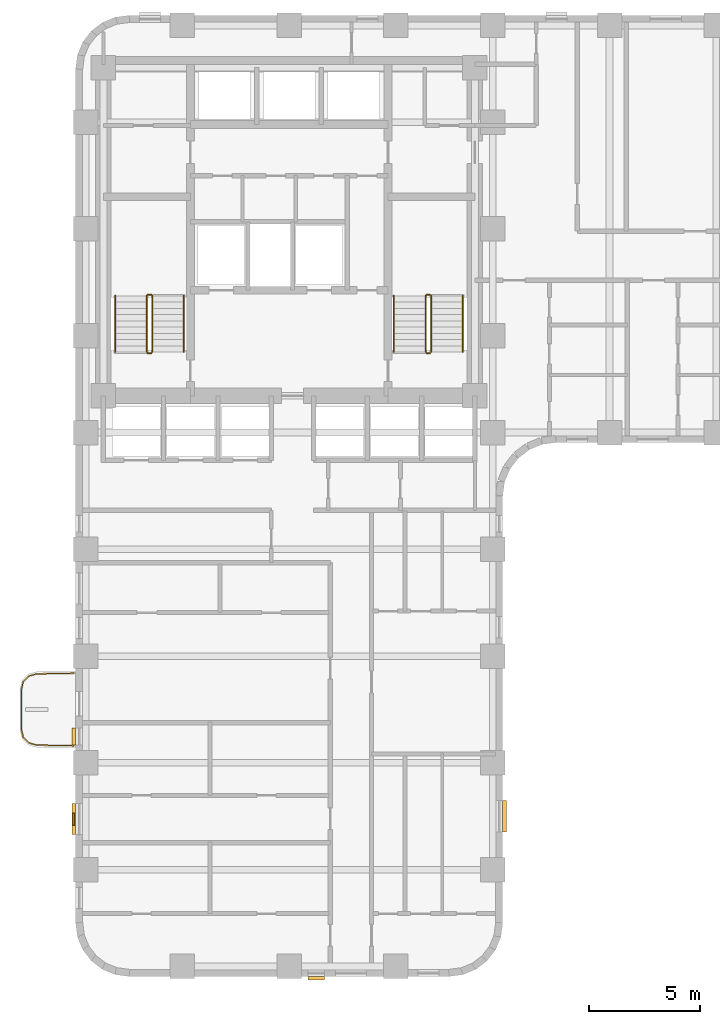
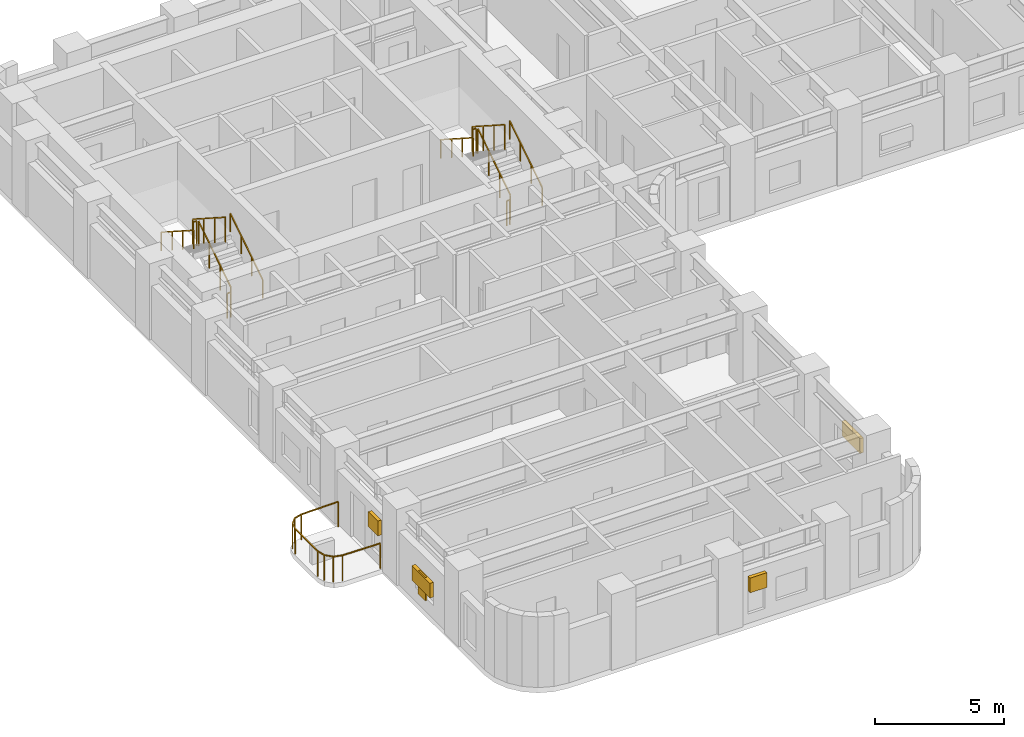
# One storey, part 9 of 11: 13 railings, 5 shading devices.
"""IFC4 building model written with IfcOpenShell, lengths in metres."""

from ifc_helpers import new_model, si_unit, direction, frame, origin, origin_2d, place, context, subcontext, project, spatial, rectangle, extrude, material, type_object, element, save


model = new_model("IFC4")

# Units and contexts
model_context = context("Model", 3, precision=1e-05, world=origin(), true_north=direction((0.0, 1.0)))
body_context = subcontext(model_context, "Body", "Model", "MODEL_VIEW")
ifc_project = project(units=[si_unit("LENGTHUNIT", "METRE"), si_unit("AREAUNIT", "SQUARE_METRE"), si_unit("VOLUMEUNIT", "CUBIC_METRE"), si_unit("PLANEANGLEUNIT", "RADIAN"), si_unit("MASSUNIT", "GRAM", prefix="KILO")], contexts=[model_context])

# Site, building, storey
site_placement = place(None, origin())
site = spatial("IfcSite", under=ifc_project, at=site_placement, CompositionType="ELEMENT")
building_placement = place(site_placement, origin())
building = spatial("IfcBuilding", under=site, at=building_placement, Name="Orvandelia Arch Residences", CompositionType="ELEMENT")
storey_placement = place(building_placement, frame((0.0, 0.0, 53.800048828125)))
storey = spatial("IfcBuildingStorey", under=building, at=storey_placement, Name="L13", CompositionType="ELEMENT", Elevation=53.800048828125)

# Railings
ifc_material_1 = material(Name="Marine-Grade Stainless Steel 316", Category="steel")
railing_type_1 = type_object("IfcRailingType", Name="GRD-BAL-1200", PredefinedType="BALUSTRADE", material=ifc_material_1)
railing_1_placement = place(storey_placement, frame((4.728271484375, 18.430419921875, 0.0)))
element("IfcRailing", 1, at=railing_1_placement, inside=storey, type_object=railing_type_1, Name="Safety Balustrade Guard GRD-L13-BAL-L13-W1-1", PredefinedType="BALUSTRADE", context=body_context, shape_type="SweptSolid", body=[
    extrude(rectangle(XDim=0.048095703125, YDim=0.048095703125, at=origin_2d()), frame((0.0, 0.0, 1.19580078125), z_axis=(-0.999834751713, -0.018178813668, 0.0), x_axis=(0.018178813668, -0.999834751713, 0.0)), (0.0, 0.0, 1.0), 1.6787109375),
    extrude(rectangle(XDim=0.048095703125, YDim=0.048095703125, at=origin_2d()), frame((-1.678466796875, -0.030517578125, 1.19580078125), z_axis=(-0.96348920644, -0.267747173792, 0.0), x_axis=(0.267747173792, -0.96348920644, 0.0)), (0.0, 0.0, 1.0), 0.36572265625),
    extrude(rectangle(XDim=0.048095703125, YDim=0.048095703125, at=origin_2d()), frame((-2.03076171875, -0.12841796875, 1.19580078125), z_axis=(-0.688627404251, -0.725115368831, 0.0), x_axis=(0.725115368831, -0.688627404251, 0.0)), (0.0, 0.0, 1.0), 0.367919921875),
    extrude(rectangle(XDim=0.048095703125, YDim=0.048095703125, at=origin_2d()), frame((-2.2841796875, -0.395263671875, 1.19580078125), z_axis=(-0.220602419982, -0.975363815352, 0.0), x_axis=(0.975363815352, -0.220602419982, 0.0)), (0.0, 0.0, 1.0), 0.373046875),
    extrude(rectangle(XDim=0.048095703125, YDim=0.048095703125, at=origin_2d()), frame((-2.366455078125, -0.759033203125, 1.19580078125), z_axis=(0.0, -1.0, 0.0), x_axis=(1.0, 0.0, 0.0)), (0.0, 0.0, 1.0), 1.74267578125),
    extrude(rectangle(XDim=0.048095703125, YDim=0.048095703125, at=origin_2d()), frame((-2.366455078125, -2.501708984375, 1.19580078125), z_axis=(0.220602419982, -0.975363815352, 0.0), x_axis=(0.975363815352, 0.220602419982, 0.0)), (0.0, 0.0, 1.0), 0.373046875),
    extrude(rectangle(XDim=0.048095703125, YDim=0.048095703125, at=origin_2d()), frame((-2.2841796875, -2.865478515625, 1.19580078125), z_axis=(0.688296224633, -0.725429739642, 0.0), x_axis=(0.725429739642, 0.688296224633, 0.0)), (0.0, 0.0, 1.0), 0.3681640625),
    extrude(rectangle(XDim=0.048095703125, YDim=0.048095703125, at=origin_2d()), frame((-2.03076171875, -3.132568359375, 1.19580078125), z_axis=(0.96348920644, -0.267747173792, 0.0), x_axis=(0.267747173792, 0.96348920644, 0.0)), (0.0, 0.0, 1.0), 0.36572265625),
    extrude(rectangle(XDim=0.048095703125, YDim=0.048095703125, at=origin_2d()), frame((-1.678466796875, -3.23046875, 1.19580078125), z_axis=(0.999837384468, -0.018033430643, 0.0), x_axis=(0.018033430643, 0.999837384468, 0.0)), (0.0, 0.0, 1.0), 1.6787109375),
    extrude(rectangle(XDim=0.0419921875, YDim=0.0419921875, at=origin_2d()), origin(), (0.0, 0.0, 1.0), 1.171875),
    extrude(rectangle(XDim=0.0419921875, YDim=0.0419921875, at=origin_2d()), frame((-1.678466796875, -0.030517578125, 0.0)), (0.0, 0.0, 1.0), 1.171875),
    extrude(rectangle(XDim=0.0419921875, YDim=0.0419921875, at=origin_2d()), frame((-2.03076171875, -0.12841796875, 0.0)), (0.0, 0.0, 1.0), 1.171875),
    extrude(rectangle(XDim=0.0419921875, YDim=0.0419921875, at=origin_2d()), frame((-2.2841796875, -0.395263671875, 0.0)), (0.0, 0.0, 1.0), 1.171875),
    extrude(rectangle(XDim=0.0419921875, YDim=0.0419921875, at=origin_2d()), frame((-2.366455078125, -0.759033203125, 0.0)), (0.0, 0.0, 1.0), 1.171875),
    extrude(rectangle(XDim=0.0419921875, YDim=0.0419921875, at=origin_2d()), frame((-2.366455078125, -2.501708984375, 0.0)), (0.0, 0.0, 1.0), 1.171875),
    extrude(rectangle(XDim=0.0419921875, YDim=0.0419921875, at=origin_2d()), frame((-2.2841796875, -2.865478515625, 0.0)), (0.0, 0.0, 1.0), 1.171875),
    extrude(rectangle(XDim=0.0419921875, YDim=0.0419921875, at=origin_2d()), frame((-2.03076171875, -3.132568359375, 0.0)), (0.0, 0.0, 1.0), 1.171875),
    extrude(rectangle(XDim=0.0419921875, YDim=0.0419921875, at=origin_2d()), frame((-1.678466796875, -3.23046875, 0.0)), (0.0, 0.0, 1.0), 1.171875),
    extrude(rectangle(XDim=0.0419921875, YDim=0.0419921875, at=origin_2d()), frame((0.0, -3.2607421875, 0.0)), (0.0, 0.0, 1.0), 1.171875),
])
ifc_material_2 = material(Name="Brushed Stainless Steel 304", Category="steel")
railing_type_2 = type_object("IfcRailingType", Name="RL-STAIR-GD1120", PredefinedType="GUARDRAIL", material=ifc_material_2)
railing_2_placement = place(storey_placement, frame((8.25, 32.8701171875, 0.179931640625)))
element("IfcRailing", 2, at=railing_2_placement, inside=storey, type_object=railing_type_2, Name="L13 ST-1 stair guard 1", PredefinedType="GUARDRAIL", context=body_context, shape_type="SweptSolid", body=[
    extrude(rectangle(XDim=0.048095703125, YDim=0.048095703125, at=origin_2d()), frame((0.0, 0.0, 1.17578125), z_axis=(0.0, 0.841138753965, 0.540819375188), x_axis=(-1.0, 0.0, 0.0)), (0.0, 0.0, 1.0), 2.99560546875),
    extrude(rectangle(XDim=0.0419921875, YDim=0.0419921875, at=origin_2d()), origin(), (0.0, 0.0, 1.0), 1.15185546875),
    extrude(rectangle(XDim=0.0419921875, YDim=0.0419921875, at=origin_2d()), frame((0.0, 0.83984375, 0.5400390625)), (0.0, 0.0, 1.0), 1.15185546875),
    extrude(rectangle(XDim=0.0419921875, YDim=0.0419921875, at=origin_2d()), frame((0.0, 1.679931640625, 1.080078125)), (0.0, 0.0, 1.0), 1.15185546875),
    extrude(rectangle(XDim=0.0419921875, YDim=0.0419921875, at=origin_2d()), frame((0.0, 2.519775390625, 1.6201171875)), (0.0, 0.0, 1.0), 1.15185546875),
])
railing_3_placement = place(storey_placement, frame((8.199951171875, 35.43994140625, 1.800048828125)))
element("IfcRailing", 3, at=railing_3_placement, inside=storey, type_object=railing_type_2, Name="L13 ST-1 stair guard 2", PredefinedType="GUARDRAIL", context=body_context, shape_type="SweptSolid", body=[
    extrude(rectangle(XDim=0.048095703125, YDim=0.048095703125, at=origin_2d()), frame((0.0, 0.0, 1.17578125), z_axis=(-1.0, 0.0, 0.0), x_axis=(0.0, -1.0, 0.0)), (0.0, 0.0, 1.0), 0.14990234375),
    extrude(rectangle(XDim=0.0419921875, YDim=0.0419921875, at=origin_2d()), origin(), (0.0, 0.0, 1.0), 1.15185546875),
    extrude(rectangle(XDim=0.0419921875, YDim=0.0419921875, at=origin_2d()), frame((-0.14990234375, 0.0, 0.0)), (0.0, 0.0, 1.0), 1.15185546875),
])
railing_4_placement = place(storey_placement, frame((8.0, 35.389892578125, 1.97998046875)))
element("IfcRailing", 4, at=railing_4_placement, inside=storey, type_object=railing_type_2, Name="L13 ST-1 stair guard 3", PredefinedType="GUARDRAIL", context=body_context, shape_type="SweptSolid", body=[
    extrude(rectangle(XDim=0.048095703125, YDim=0.048095703125, at=origin_2d()), frame((0.0, 0.0, 1.17578125), z_axis=(0.0, -0.841175827307, 0.540761710511), x_axis=(1.0, 0.0, 0.0)), (0.0, 0.0, 1.0), 2.99560546875),
    extrude(rectangle(XDim=0.0419921875, YDim=0.0419921875, at=origin_2d()), origin(), (0.0, 0.0, 1.0), 1.15185546875),
    extrude(rectangle(XDim=0.0419921875, YDim=0.0419921875, at=origin_2d()), frame((0.0, -0.83984375, 0.5400390625)), (0.0, 0.0, 1.0), 1.15185546875),
    extrude(rectangle(XDim=0.0419921875, YDim=0.0419921875, at=origin_2d()), frame((0.0, -1.679931640625, 1.079833984375)), (0.0, 0.0, 1.0), 1.15185546875),
    extrude(rectangle(XDim=0.0419921875, YDim=0.0419921875, at=origin_2d()), frame((0.0, -2.519775390625, 1.619873046875)), (0.0, 0.0, 1.0), 1.15185546875),
])
railing_5_placement = place(storey_placement, frame((8.199951171875, 32.820068359375, 0.0)))
element("IfcRailing", 5, at=railing_5_placement, inside=storey, type_object=railing_type_2, Name="L13 ST-1 stair guard 4", PredefinedType="GUARDRAIL", context=body_context, shape_type="SweptSolid", body=[
    extrude(rectangle(XDim=0.048095703125, YDim=0.048095703125, at=origin_2d()), frame((0.0, 0.0, 1.17578125), z_axis=(-1.0, 0.0, 0.0), x_axis=(0.0, -1.0, 0.0)), (0.0, 0.0, 1.0), 0.14990234375),
    extrude(rectangle(XDim=0.0419921875, YDim=0.0419921875, at=origin_2d()), origin(), (0.0, 0.0, 1.0), 1.15185546875),
    extrude(rectangle(XDim=0.0419921875, YDim=0.0419921875, at=origin_2d()), frame((-0.14990234375, 0.0, 0.0)), (0.0, 0.0, 1.0), 1.15185546875),
])
railing_6_placement = place(storey_placement, frame((20.780029296875, 32.8701171875, 0.179931640625)))
element("IfcRailing", 6, at=railing_6_placement, inside=storey, type_object=railing_type_2, Name="L13 ST-2 stair guard 1", PredefinedType="GUARDRAIL", context=body_context, shape_type="SweptSolid", body=[
    extrude(rectangle(XDim=0.048095703125, YDim=0.048095703125, at=origin_2d()), frame((0.0, 0.0, 1.17578125), z_axis=(0.0, 0.841138753965, 0.540819375188), x_axis=(-1.0, 0.0, 0.0)), (0.0, 0.0, 1.0), 2.99560546875),
    extrude(rectangle(XDim=0.0419921875, YDim=0.0419921875, at=origin_2d()), origin(), (0.0, 0.0, 1.0), 1.15185546875),
    extrude(rectangle(XDim=0.0419921875, YDim=0.0419921875, at=origin_2d()), frame((0.0, 0.83984375, 0.5400390625)), (0.0, 0.0, 1.0), 1.15185546875),
    extrude(rectangle(XDim=0.0419921875, YDim=0.0419921875, at=origin_2d()), frame((0.0, 1.679931640625, 1.080078125)), (0.0, 0.0, 1.0), 1.15185546875),
    extrude(rectangle(XDim=0.0419921875, YDim=0.0419921875, at=origin_2d()), frame((0.0, 2.519775390625, 1.6201171875)), (0.0, 0.0, 1.0), 1.15185546875),
])
railing_7_placement = place(storey_placement, frame((20.72998046875, 35.43994140625, 1.800048828125)))
element("IfcRailing", 7, at=railing_7_placement, inside=storey, type_object=railing_type_2, Name="L13 ST-2 stair guard 2", PredefinedType="GUARDRAIL", context=body_context, shape_type="SweptSolid", body=[
    extrude(rectangle(XDim=0.048095703125, YDim=0.048095703125, at=origin_2d()), frame((0.0, 0.0, 1.17578125), z_axis=(-1.0, 0.0, 0.0), x_axis=(0.0, -1.0, 0.0)), (0.0, 0.0, 1.0), 0.14990234375),
    extrude(rectangle(XDim=0.0419921875, YDim=0.0419921875, at=origin_2d()), origin(), (0.0, 0.0, 1.0), 1.15185546875),
    extrude(rectangle(XDim=0.0419921875, YDim=0.0419921875, at=origin_2d()), frame((-0.14990234375, 0.0, 0.0)), (0.0, 0.0, 1.0), 1.15185546875),
])
railing_8_placement = place(storey_placement, frame((20.530029296875, 35.389892578125, 1.97998046875)))
element("IfcRailing", 8, at=railing_8_placement, inside=storey, type_object=railing_type_2, Name="L13 ST-2 stair guard 3", PredefinedType="GUARDRAIL", context=body_context, shape_type="SweptSolid", body=[
    extrude(rectangle(XDim=0.048095703125, YDim=0.048095703125, at=origin_2d()), frame((0.0, 0.0, 1.17578125), z_axis=(0.0, -0.841175827307, 0.540761710511), x_axis=(1.0, 0.0, 0.0)), (0.0, 0.0, 1.0), 2.99560546875),
    extrude(rectangle(XDim=0.0419921875, YDim=0.0419921875, at=origin_2d()), origin(), (0.0, 0.0, 1.0), 1.15185546875),
    extrude(rectangle(XDim=0.0419921875, YDim=0.0419921875, at=origin_2d()), frame((0.0, -0.83984375, 0.5400390625)), (0.0, 0.0, 1.0), 1.15185546875),
    extrude(rectangle(XDim=0.0419921875, YDim=0.0419921875, at=origin_2d()), frame((0.0, -1.679931640625, 1.079833984375)), (0.0, 0.0, 1.0), 1.15185546875),
    extrude(rectangle(XDim=0.0419921875, YDim=0.0419921875, at=origin_2d()), frame((0.0, -2.519775390625, 1.619873046875)), (0.0, 0.0, 1.0), 1.15185546875),
])
railing_9_placement = place(storey_placement, frame((20.72998046875, 32.820068359375, 0.0)))
element("IfcRailing", 9, at=railing_9_placement, inside=storey, type_object=railing_type_2, Name="L13 ST-2 stair guard 4", PredefinedType="GUARDRAIL", context=body_context, shape_type="SweptSolid", body=[
    extrude(rectangle(XDim=0.048095703125, YDim=0.048095703125, at=origin_2d()), frame((0.0, 0.0, 1.17578125), z_axis=(-1.0, 0.0, 0.0), x_axis=(0.0, -1.0, 0.0)), (0.0, 0.0, 1.0), 0.14990234375),
    extrude(rectangle(XDim=0.0419921875, YDim=0.0419921875, at=origin_2d()), origin(), (0.0, 0.0, 1.0), 1.15185546875),
    extrude(rectangle(XDim=0.0419921875, YDim=0.0419921875, at=origin_2d()), frame((-0.14990234375, 0.0, 0.0)), (0.0, 0.0, 1.0), 1.15185546875),
])
railing_type_3 = type_object("IfcRailingType", Name="RL-STAIR-HR920", PredefinedType="HANDRAIL", material=ifc_material_2)
railing_10_placement = place(storey_placement, frame((9.669921875, 32.8701171875, 0.35986328125)))
element("IfcRailing", 10, at=railing_10_placement, inside=storey, type_object=railing_type_3, Name="L13 ST-1 stair handrail 1", PredefinedType="HANDRAIL", context=body_context, shape_type="SweptSolid", body=[
    extrude(rectangle(XDim=0.048095703125, YDim=0.048095703125, at=origin_2d()), frame((0.0, 0.0, 0.8759765625), z_axis=(0.0, 0.841138753965, 0.540819375188), x_axis=(-1.0, 0.0, 0.0)), (0.0, 0.0, 1.0), 2.99560546875),
    extrude(rectangle(XDim=0.0419921875, YDim=0.0419921875, at=origin_2d()), origin(), (0.0, 0.0, 1.0), 0.851806640625),
    extrude(rectangle(XDim=0.0419921875, YDim=0.0419921875, at=origin_2d()), frame((0.0, 0.83984375, 0.5400390625)), (0.0, 0.0, 1.0), 0.851806640625),
    extrude(rectangle(XDim=0.0419921875, YDim=0.0419921875, at=origin_2d()), frame((0.0, 1.679931640625, 1.080078125)), (0.0, 0.0, 1.0), 0.851806640625),
    extrude(rectangle(XDim=0.0419921875, YDim=0.0419921875, at=origin_2d()), frame((0.0, 2.519775390625, 1.6201171875)), (0.0, 0.0, 1.0), 0.851806640625),
])
railing_11_placement = place(storey_placement, frame((6.580078125, 35.389892578125, 2.159912109375)))
element("IfcRailing", 11, at=railing_11_placement, inside=storey, type_object=railing_type_3, Name="L13 ST-1 stair handrail 2", PredefinedType="HANDRAIL", context=body_context, shape_type="SweptSolid", body=[
    extrude(rectangle(XDim=0.048095703125, YDim=0.048095703125, at=origin_2d()), frame((0.0, 0.0, 0.8759765625), z_axis=(0.0, -0.841138753965, 0.540819375188), x_axis=(1.0, 0.0, 0.0)), (0.0, 0.0, 1.0), 2.99560546875),
    extrude(rectangle(XDim=0.0419921875, YDim=0.0419921875, at=origin_2d()), origin(), (0.0, 0.0, 1.0), 0.851806640625),
    extrude(rectangle(XDim=0.0419921875, YDim=0.0419921875, at=origin_2d()), frame((0.0, -0.83984375, 0.5400390625)), (0.0, 0.0, 1.0), 0.851806640625),
    extrude(rectangle(XDim=0.0419921875, YDim=0.0419921875, at=origin_2d()), frame((0.0, -1.679931640625, 1.080078125)), (0.0, 0.0, 1.0), 0.851806640625),
    extrude(rectangle(XDim=0.0419921875, YDim=0.0419921875, at=origin_2d()), frame((0.0, -2.519775390625, 1.6201171875)), (0.0, 0.0, 1.0), 0.851806640625),
])
railing_12_placement = place(storey_placement, frame((22.199951171875, 32.8701171875, 0.35986328125)))
element("IfcRailing", 12, at=railing_12_placement, inside=storey, type_object=railing_type_3, Name="L13 ST-2 stair handrail 1", PredefinedType="HANDRAIL", context=body_context, shape_type="SweptSolid", body=[
    extrude(rectangle(XDim=0.048095703125, YDim=0.048095703125, at=origin_2d()), frame((0.0, 0.0, 0.8759765625), z_axis=(0.0, 0.841138753965, 0.540819375188), x_axis=(-1.0, 0.0, 0.0)), (0.0, 0.0, 1.0), 2.99560546875),
    extrude(rectangle(XDim=0.0419921875, YDim=0.0419921875, at=origin_2d()), origin(), (0.0, 0.0, 1.0), 0.851806640625),
    extrude(rectangle(XDim=0.0419921875, YDim=0.0419921875, at=origin_2d()), frame((0.0, 0.83984375, 0.5400390625)), (0.0, 0.0, 1.0), 0.851806640625),
    extrude(rectangle(XDim=0.0419921875, YDim=0.0419921875, at=origin_2d()), frame((0.0, 1.679931640625, 1.080078125)), (0.0, 0.0, 1.0), 0.851806640625),
    extrude(rectangle(XDim=0.0419921875, YDim=0.0419921875, at=origin_2d()), frame((0.0, 2.519775390625, 1.6201171875)), (0.0, 0.0, 1.0), 0.851806640625),
])
railing_13_placement = place(storey_placement, frame((19.110107421875, 35.389892578125, 2.159912109375)))
element("IfcRailing", 13, at=railing_13_placement, inside=storey, type_object=railing_type_3, Name="L13 ST-2 stair handrail 2", PredefinedType="HANDRAIL", context=body_context, shape_type="SweptSolid", body=[
    extrude(rectangle(XDim=0.048095703125, YDim=0.048095703125, at=origin_2d()), frame((0.0, 0.0, 0.8759765625), z_axis=(0.0, -0.841138753965, 0.540819375188), x_axis=(1.0, 0.0, 0.0)), (0.0, 0.0, 1.0), 2.99560546875),
    extrude(rectangle(XDim=0.0419921875, YDim=0.0419921875, at=origin_2d()), origin(), (0.0, 0.0, 1.0), 0.851806640625),
    extrude(rectangle(XDim=0.0419921875, YDim=0.0419921875, at=origin_2d()), frame((0.0, -0.83984375, 0.5400390625)), (0.0, 0.0, 1.0), 0.851806640625),
    extrude(rectangle(XDim=0.0419921875, YDim=0.0419921875, at=origin_2d()), frame((0.0, -1.679931640625, 1.080078125)), (0.0, 0.0, 1.0), 0.851806640625),
    extrude(rectangle(XDim=0.0419921875, YDim=0.0419921875, at=origin_2d()), frame((0.0, -2.519775390625, 1.6201171875)), (0.0, 0.0, 1.0), 0.851806640625),
])

# Shading devices
ifc_material_3 = material(Name="Anodised Champagne-Bronze Extruded Aluminium", Category="aluminium")
shading_device_type_1 = type_object("IfcShadingDeviceType", Name="SHD-JALOUSIE-SCREEN", PredefinedType="JALOUSIE", material=ifc_material_3)
shading_device_1_placement = place(storey_placement, frame((24.080078125, 12.0, 1.0498046875), z_axis=(0.0, 0.0, 1.0), x_axis=(0.0, -1.0, 0.0)))
element("IfcShadingDevice", 14, at=shading_device_1_placement, inside=storey, type_object=shading_device_type_1, Name="Bronze Jalousie Sun-Shade L13-007", PredefinedType="JALOUSIE", context=body_context, shape_type="SweptSolid", body=[
    extrude(rectangle(XDim=1.39990234375, YDim=0.159912109375, at=origin_2d()), origin(), (0.0, 0.0, 1.0), 0.699951171875),
])
shading_device_2_placement = place(storey_placement, frame((15.610107421875, 4.719970703125, 1.5498046875), z_axis=(0.0, 0.0, 1.0), x_axis=(-1.0, 0.0, 0.0)))
element("IfcShadingDevice", 15, at=shading_device_2_placement, inside=storey, type_object=shading_device_type_1, Name="Bronze Jalousie Sun-Shade L13-008", PredefinedType="JALOUSIE", context=body_context, shape_type="SweptSolid", body=[
    extrude(rectangle(XDim=0.75, YDim=0.159912109375, at=origin_2d()), origin(), (0.0, 0.0, 1.0), 0.699951171875),
])
shading_device_3_placement = place(storey_placement, frame((4.719970703125, 11.8701171875, 1.0498046875), z_axis=(0.0, 0.0, 1.0), x_axis=(0.0, 1.0, 0.0)))
element("IfcShadingDevice", 16, at=shading_device_3_placement, inside=storey, type_object=shading_device_type_1, Name="Bronze Jalousie Sun-Shade L13-009", PredefinedType="JALOUSIE", context=body_context, shape_type="SweptSolid", body=[
    extrude(rectangle(XDim=1.39990234375, YDim=0.159912109375, at=origin_2d()), origin(), (0.0, 0.0, 1.0), 0.699951171875),
])
shading_device_4_placement = place(storey_placement, frame((4.719970703125, 15.5849609375, 1.5498046875), z_axis=(0.0, 0.0, 1.0), x_axis=(0.0, 1.0, 0.0)))
element("IfcShadingDevice", 17, at=shading_device_4_placement, inside=storey, type_object=shading_device_type_1, Name="Bronze Jalousie Sun-Shade L13-010", PredefinedType="JALOUSIE", context=body_context, shape_type="SweptSolid", body=[
    extrude(rectangle(XDim=0.75, YDim=0.159912109375, at=origin_2d()), origin(), (0.0, 0.0, 1.0), 0.699951171875),
])
ifc_material_4 = material(Name="Marine-Grade Perforated Aluminium Storm Shutter", Category="aluminium")
shading_device_type_2 = type_object("IfcShadingDeviceType", Name="SHD-STORM-SHUTTER", PredefinedType="SHUTTER", material=ifc_material_4)
shading_device_5_placement = place(storey_placement, frame((4.719970703125, 11.8701171875, 0.64990234375), z_axis=(0.0, 0.0, 1.0), x_axis=(0.0, 1.0, 0.0)))
element("IfcShadingDevice", 18, at=shading_device_5_placement, inside=storey, type_object=shading_device_type_2, Name="Operable Typhoon Storm Shutter L13-009", PredefinedType="SHUTTER", context=body_context, shape_type="SweptSolid", body=[
    extrude(rectangle(XDim=0.550048828125, YDim=0.080078125, at=origin_2d()), origin(), (0.0, 0.0, 1.0), 1.10009765625),
])

save(model, "model.ifc")
